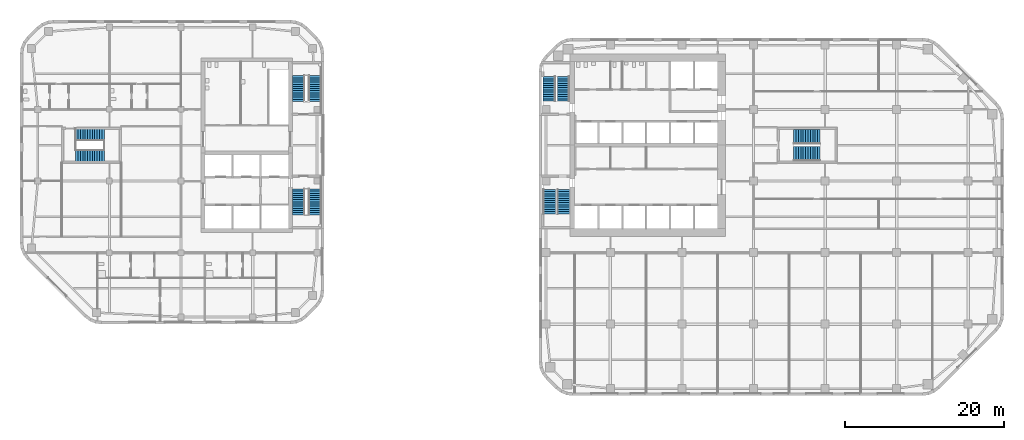
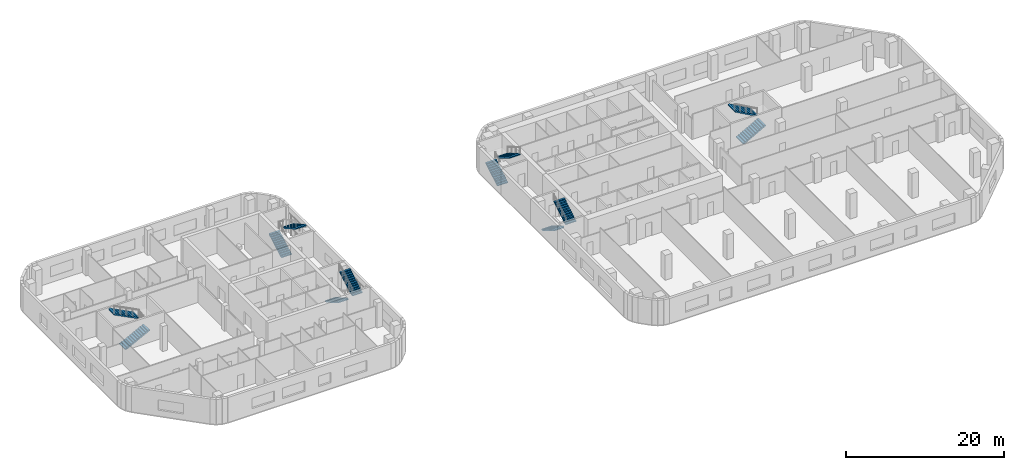
# One storey, part 12 of 15: 12 stair flights, 6 elements without a shape of their own.
"""IFC4 building model written with IfcOpenShell, lengths in metres."""

from ifc_helpers import new_model, si_unit, direction, frame, origin, place, context, subcontext, project, spatial, polyline, outline, extrude, material, type_object, element, aggregate, save


model = new_model("IFC4")

# Units and contexts
model_context = context("Model", 3, precision=1e-05, world=origin(), true_north=direction((0.0, 1.0)))
body_context = subcontext(model_context, "Body", "Model", "MODEL_VIEW")
ifc_project = project(units=[si_unit("LENGTHUNIT", "METRE"), si_unit("AREAUNIT", "SQUARE_METRE"), si_unit("VOLUMEUNIT", "CUBIC_METRE"), si_unit("PLANEANGLEUNIT", "RADIAN"), si_unit("MASSUNIT", "GRAM", prefix="KILO")], contexts=[model_context])

# Site, building, storey
site_placement = place(None, origin())
site = spatial("IfcSite", under=ifc_project, at=site_placement, CompositionType="ELEMENT")
building_placement = place(site_placement, origin())
building = spatial("IfcBuilding", under=site, at=building_placement, Name="Cinnabar Reach Civic Tower", CompositionType="ELEMENT")
storey_placement = place(building_placement, frame((0.0, 0.0, 87.0)))
storey = spatial("IfcBuildingStorey", under=building, at=storey_placement, Name="L20", CompositionType="ELEMENT", Elevation=87.0)

# Stair, stair flights
ifc_material_1 = material(Name="Concrete C40/50", Category="concrete")
stair_type_1 = type_object("IfcStairType", Name="T1 Exit stair, half-turn", PredefinedType="HALF_TURN_STAIR", material=ifc_material_1)
stair_1_placement = place(storey_placement, origin())
stair_1 = element("IfcStair", 1, at=stair_1_placement, inside=storey, type_object=stair_type_1, Name="Stair T1-S1", PredefinedType="HALF_TURN_STAIR")
stair_flight_type_1 = type_object("IfcStairFlightType", Name="T1 Stair flight, concrete", PredefinedType="STRAIGHT", material=ifc_material_1)
stair_flight_1_placement = place(storey_placement, frame((1.3125, 25.95, 0.0), z_axis=(0.0, 0.0, 1.0), x_axis=(0.0, -1.0, 0.0)))
stair_flight_1 = element("IfcStairFlight", 2, at=stair_flight_1_placement, type_object=stair_flight_type_1, Name="T1-S1 flight 1", NumberOfRisers=12, NumberOfTreads=11, PredefinedType="STRAIGHT", RiserHeight=0.166666667, TreadLength=0.28, context=body_context, shape_type="SweptSolid", body=[
    extrude(outline(polyline([(0.0, 0.0), (0.0, 0.1667), (0.28, 0.1667), (0.28, 0.3333), (0.56, 0.3333), (0.56, 0.5), (0.84, 0.5), (0.84, 0.6667), (1.12, 0.6667), (1.12, 0.8333), (1.4, 0.8333), (1.4, 1.0), (1.68, 1.0), (1.68, 1.1667), (1.96, 1.1667), (1.96, 1.3333), (2.24, 1.3333), (2.24, 1.5), (2.52, 1.5), (2.52, 1.6667), (2.8, 1.6667), (2.8, 1.8333), (3.08, 1.8333), (3.08, 2.0), (3.08, 1.6588), (0.2933, 0.0), (0.0, 0.0)])), frame((0.0, 0.7625, 0.0), z_axis=(0.0, -1.0, 0.0), x_axis=(1.0, 0.0, 0.0)), (0.0, 0.0, 1.0), 1.525),
])
stair_flight_2_placement = place(storey_placement, frame((3.0875, 22.87, 2.0), z_axis=(0.0, 0.0, 1.0), x_axis=(0.0, 1.0, 0.0)))
stair_flight_2 = element("IfcStairFlight", 3, at=stair_flight_2_placement, type_object=stair_flight_type_1, Name="T1-S1 flight 2", NumberOfRisers=12, NumberOfTreads=11, PredefinedType="STRAIGHT", RiserHeight=0.166666667, TreadLength=0.28, context=body_context, shape_type="SweptSolid", body=[
    extrude(outline(polyline([(0.0, 0.0), (0.0, 0.1667), (0.28, 0.1667), (0.28, 0.3333), (0.56, 0.3333), (0.56, 0.5), (0.84, 0.5), (0.84, 0.6667), (1.12, 0.6667), (1.12, 0.8333), (1.4, 0.8333), (1.4, 1.0), (1.68, 1.0), (1.68, 1.1667), (1.96, 1.1667), (1.96, 1.3333), (2.24, 1.3333), (2.24, 1.5), (2.52, 1.5), (2.52, 1.6667), (2.8, 1.6667), (2.8, 1.8333), (3.08, 1.8333), (3.08, 2.0), (3.08, 1.6588), (0.2933, 0.0), (0.0, 0.0)])), frame((0.0, 0.7625, 0.0), z_axis=(0.0, -1.0, 0.0), x_axis=(1.0, 0.0, 0.0)), (0.0, 0.0, 1.0), 1.525),
])
aggregate(stair_1, [stair_flight_1, stair_flight_2])

stair_2_placement = place(storey_placement, origin())
stair_2 = element("IfcStair", 4, at=stair_2_placement, inside=storey, type_object=stair_type_1, Name="Stair T1-S2", PredefinedType="HALF_TURN_STAIR")
stair_flight_3_placement = place(storey_placement, frame((1.3125, 37.05, 0.0), z_axis=(0.0, 0.0, 1.0), x_axis=(0.0, 1.0, 0.0)))
stair_flight_3 = element("IfcStairFlight", 5, at=stair_flight_3_placement, type_object=stair_flight_type_1, Name="T1-S2 flight 1", NumberOfRisers=12, NumberOfTreads=11, PredefinedType="STRAIGHT", RiserHeight=0.166666667, TreadLength=0.28, context=body_context, shape_type="SweptSolid", body=[
    extrude(outline(polyline([(0.0, 0.0), (0.0, 0.1667), (0.28, 0.1667), (0.28, 0.3333), (0.56, 0.3333), (0.56, 0.5), (0.84, 0.5), (0.84, 0.6667), (1.12, 0.6667), (1.12, 0.8333), (1.4, 0.8333), (1.4, 1.0), (1.68, 1.0), (1.68, 1.1667), (1.96, 1.1667), (1.96, 1.3333), (2.24, 1.3333), (2.24, 1.5), (2.52, 1.5), (2.52, 1.6667), (2.8, 1.6667), (2.8, 1.8333), (3.08, 1.8333), (3.08, 2.0), (3.08, 1.6588), (0.2933, 0.0), (0.0, 0.0)])), frame((0.0, 0.7625, 0.0), z_axis=(0.0, -1.0, 0.0), x_axis=(1.0, 0.0, 0.0)), (0.0, 0.0, 1.0), 1.525),
])
stair_flight_4_placement = place(storey_placement, frame((3.0875, 40.13, 2.0), z_axis=(0.0, 0.0, 1.0), x_axis=(0.0, -1.0, 0.0)))
stair_flight_4 = element("IfcStairFlight", 6, at=stair_flight_4_placement, type_object=stair_flight_type_1, Name="T1-S2 flight 2", NumberOfRisers=12, NumberOfTreads=11, PredefinedType="STRAIGHT", RiserHeight=0.166666667, TreadLength=0.28, context=body_context, shape_type="SweptSolid", body=[
    extrude(outline(polyline([(0.0, 0.0), (0.0, 0.1667), (0.28, 0.1667), (0.28, 0.3333), (0.56, 0.3333), (0.56, 0.5), (0.84, 0.5), (0.84, 0.6667), (1.12, 0.6667), (1.12, 0.8333), (1.4, 0.8333), (1.4, 1.0), (1.68, 1.0), (1.68, 1.1667), (1.96, 1.1667), (1.96, 1.3333), (2.24, 1.3333), (2.24, 1.5), (2.52, 1.5), (2.52, 1.6667), (2.8, 1.6667), (2.8, 1.8333), (3.08, 1.8333), (3.08, 2.0), (3.08, 1.6588), (0.2933, 0.0), (0.0, 0.0)])), frame((0.0, 0.7625, 0.0), z_axis=(0.0, -1.0, 0.0), x_axis=(1.0, 0.0, 0.0)), (0.0, 0.0, 1.0), 1.525),
])
aggregate(stair_2, [stair_flight_3, stair_flight_4])

stair_3_placement = place(storey_placement, origin())
stair_3 = element("IfcStair", 7, at=stair_3_placement, inside=storey, type_object=stair_type_1, Name="Stair T1-S3", PredefinedType="HALF_TURN_STAIR")
stair_flight_5_placement = place(storey_placement, frame((32.05, 30.45, 0.0), z_axis=(0.0, 0.0, 1.0), x_axis=(1.0, 0.0, 0.0)))
stair_flight_5 = element("IfcStairFlight", 8, at=stair_flight_5_placement, type_object=stair_flight_type_1, Name="T1-S3 flight 1", NumberOfRisers=12, NumberOfTreads=11, PredefinedType="STRAIGHT", RiserHeight=0.166666667, TreadLength=0.3, context=body_context, shape_type="SweptSolid", body=[
    extrude(outline(polyline([(0.0, 0.0), (0.0, 0.1667), (0.3, 0.1667), (0.3, 0.3333), (0.6, 0.3333), (0.6, 0.5), (0.9, 0.5), (0.9, 0.6667), (1.2, 0.6667), (1.2, 0.8333), (1.5, 0.8333), (1.5, 1.0), (1.8, 1.0), (1.8, 1.1667), (2.1, 1.1667), (2.1, 1.3333), (2.4, 1.3333), (2.4, 1.5), (2.7, 1.5), (2.7, 1.6667), (3.0, 1.6667), (3.0, 1.8333), (3.3, 1.8333), (3.3, 2.0), (3.3, 1.6617), (0.3089, 0.0), (0.0, 0.0)])), frame((0.0, 0.9, 0.0), z_axis=(0.0, -1.0, 0.0), x_axis=(1.0, 0.0, 0.0)), (0.0, 0.0, 1.0), 1.8),
])
stair_flight_6_placement = place(storey_placement, frame((35.35, 32.55, 2.0), z_axis=(0.0, 0.0, 1.0), x_axis=(-1.0, 0.0, 0.0)))
stair_flight_6 = element("IfcStairFlight", 9, at=stair_flight_6_placement, type_object=stair_flight_type_1, Name="T1-S3 flight 2", NumberOfRisers=12, NumberOfTreads=11, PredefinedType="STRAIGHT", RiserHeight=0.166666667, TreadLength=0.3, context=body_context, shape_type="SweptSolid", body=[
    extrude(outline(polyline([(0.0, 0.0), (0.0, 0.1667), (0.3, 0.1667), (0.3, 0.3333), (0.6, 0.3333), (0.6, 0.5), (0.9, 0.5), (0.9, 0.6667), (1.2, 0.6667), (1.2, 0.8333), (1.5, 0.8333), (1.5, 1.0), (1.8, 1.0), (1.8, 1.1667), (2.1, 1.1667), (2.1, 1.3333), (2.4, 1.3333), (2.4, 1.5), (2.7, 1.5), (2.7, 1.6667), (3.0, 1.6667), (3.0, 1.8333), (3.3, 1.8333), (3.3, 2.0), (3.3, 1.6617), (0.3089, 0.0), (0.0, 0.0)])), frame((0.0, 0.9, 0.0), z_axis=(0.0, -1.0, 0.0), x_axis=(1.0, 0.0, 0.0)), (0.0, 0.0, 1.0), 1.8),
])
aggregate(stair_3, [stair_flight_5, stair_flight_6])

ifc_material_2 = material(Name="Concrete C40", Category="concrete")
stair_type_2 = type_object("IfcStairType", Name="T2 Exit stair 1500", PredefinedType="HALF_TURN_STAIR", material=ifc_material_2)
stair_4_placement = place(storey_placement, origin())
stair_4 = element("IfcStair", 10, at=stair_4_placement, inside=storey, type_object=stair_type_2, Name="Exit stair 1", PredefinedType="HALF_TURN_STAIR")
stair_flight_type_2 = type_object("IfcStairFlightType", Name="T2 Stair flight 1500", PredefinedType="STRAIGHT", material=ifc_material_2)
stair_flight_7_placement = place(storey_placement, frame((-30.25, 26.0, 0.0), z_axis=(0.0, 0.0, 1.0), x_axis=(0.0, -1.0, 0.0)))
stair_flight_7 = element("IfcStairFlight", 11, at=stair_flight_7_placement, type_object=stair_flight_type_2, Name="ST1 flight 1", NumberOfRisers=13, NumberOfTreads=12, PredefinedType="STRAIGHT", RiserHeight=0.153846154, TreadLength=0.270833333, context=body_context, shape_type="SweptSolid", body=[
    extrude(outline(polyline([(0.0, 0.0), (0.0, 0.1538), (0.2708, 0.1538), (0.2708, 0.3077), (0.5417, 0.3077), (0.5417, 0.4615), (0.8125, 0.4615), (0.8125, 0.6154), (1.0833, 0.6154), (1.0833, 0.7692), (1.3542, 0.7692), (1.3542, 0.9231), (1.625, 0.9231), (1.625, 1.0769), (1.8958, 1.0769), (1.8958, 1.2308), (2.1667, 1.2308), (2.1667, 1.3846), (2.4375, 1.3846), (2.4375, 1.5385), (2.7083, 1.5385), (2.7083, 1.6923), (2.9792, 1.6923), (2.9792, 1.8462), (3.25, 1.8462), (3.25, 2.0), (3.25, 1.6736), (0.3037, 0.0), (0.0, 0.0)])), frame((0.0, 0.75, 0.0), z_axis=(0.0, -1.0, 0.0), x_axis=(1.0, 0.0, 0.0)), (0.0, 0.0, 1.0), 1.5),
])
stair_flight_8_placement = place(storey_placement, frame((-28.15, 22.75, 2.0), z_axis=(0.0, 0.0, 1.0), x_axis=(0.0, 1.0, 0.0)))
stair_flight_8 = element("IfcStairFlight", 12, at=stair_flight_8_placement, type_object=stair_flight_type_2, Name="ST1 flight 2", NumberOfRisers=13, NumberOfTreads=12, PredefinedType="STRAIGHT", RiserHeight=0.153846154, TreadLength=0.270833333, context=body_context, shape_type="SweptSolid", body=[
    extrude(outline(polyline([(0.0, 0.0), (0.0, 0.1538), (0.2708, 0.1538), (0.2708, 0.3077), (0.5417, 0.3077), (0.5417, 0.4615), (0.8125, 0.4615), (0.8125, 0.6154), (1.0833, 0.6154), (1.0833, 0.7692), (1.3542, 0.7692), (1.3542, 0.9231), (1.625, 0.9231), (1.625, 1.0769), (1.8958, 1.0769), (1.8958, 1.2308), (2.1667, 1.2308), (2.1667, 1.3846), (2.4375, 1.3846), (2.4375, 1.5385), (2.7083, 1.5385), (2.7083, 1.6923), (2.9792, 1.6923), (2.9792, 1.8462), (3.25, 1.8462), (3.25, 2.0), (3.25, 1.6736), (0.3037, 0.0), (0.0, 0.0)])), frame((0.0, 0.75, 0.0), z_axis=(0.0, -1.0, 0.0), x_axis=(1.0, 0.0, 0.0)), (0.0, 0.0, 1.0), 1.5),
])
aggregate(stair_4, [stair_flight_7, stair_flight_8])

stair_5_placement = place(storey_placement, origin())
stair_5 = element("IfcStair", 13, at=stair_5_placement, inside=storey, type_object=stair_type_2, Name="Exit stair 2", PredefinedType="HALF_TURN_STAIR")
stair_flight_9_placement = place(storey_placement, frame((-30.25, 37.0, 0.0), z_axis=(0.0, 0.0, 1.0), x_axis=(0.0, 1.0, 0.0)))
stair_flight_9 = element("IfcStairFlight", 14, at=stair_flight_9_placement, type_object=stair_flight_type_2, Name="ST2 flight 1", NumberOfRisers=13, NumberOfTreads=12, PredefinedType="STRAIGHT", RiserHeight=0.153846154, TreadLength=0.270833333, context=body_context, shape_type="SweptSolid", body=[
    extrude(outline(polyline([(0.0, 0.0), (0.0, 0.1538), (0.2708, 0.1538), (0.2708, 0.3077), (0.5417, 0.3077), (0.5417, 0.4615), (0.8125, 0.4615), (0.8125, 0.6154), (1.0833, 0.6154), (1.0833, 0.7692), (1.3542, 0.7692), (1.3542, 0.9231), (1.625, 0.9231), (1.625, 1.0769), (1.8958, 1.0769), (1.8958, 1.2308), (2.1667, 1.2308), (2.1667, 1.3846), (2.4375, 1.3846), (2.4375, 1.5385), (2.7083, 1.5385), (2.7083, 1.6923), (2.9792, 1.6923), (2.9792, 1.8462), (3.25, 1.8462), (3.25, 2.0), (3.25, 1.6736), (0.3037, 0.0), (0.0, 0.0)])), frame((0.0, 0.75, 0.0), z_axis=(0.0, -1.0, 0.0), x_axis=(1.0, 0.0, 0.0)), (0.0, 0.0, 1.0), 1.5),
])
stair_flight_10_placement = place(storey_placement, frame((-28.15, 40.25, 2.0), z_axis=(0.0, 0.0, 1.0), x_axis=(0.0, -1.0, 0.0)))
stair_flight_10 = element("IfcStairFlight", 15, at=stair_flight_10_placement, type_object=stair_flight_type_2, Name="ST2 flight 2", NumberOfRisers=13, NumberOfTreads=12, PredefinedType="STRAIGHT", RiserHeight=0.153846154, TreadLength=0.270833333, context=body_context, shape_type="SweptSolid", body=[
    extrude(outline(polyline([(0.0, 0.0), (0.0, 0.1538), (0.2708, 0.1538), (0.2708, 0.3077), (0.5417, 0.3077), (0.5417, 0.4615), (0.8125, 0.4615), (0.8125, 0.6154), (1.0833, 0.6154), (1.0833, 0.7692), (1.3542, 0.7692), (1.3542, 0.9231), (1.625, 0.9231), (1.625, 1.0769), (1.8958, 1.0769), (1.8958, 1.2308), (2.1667, 1.2308), (2.1667, 1.3846), (2.4375, 1.3846), (2.4375, 1.5385), (2.7083, 1.5385), (2.7083, 1.6923), (2.9792, 1.6923), (2.9792, 1.8462), (3.25, 1.8462), (3.25, 2.0), (3.25, 1.6736), (0.3037, 0.0), (0.0, 0.0)])), frame((0.0, 0.75, 0.0), z_axis=(0.0, -1.0, 0.0), x_axis=(1.0, 0.0, 0.0)), (0.0, 0.0, 1.0), 1.5),
])
aggregate(stair_5, [stair_flight_9, stair_flight_10])

stair_6_placement = place(storey_placement, origin())
stair_6 = element("IfcStair", 16, at=stair_6_placement, inside=storey, type_object=stair_type_2, Name="Exit stair 3", PredefinedType="HALF_TURN_STAIR")
stair_flight_11_placement = place(storey_placement, frame((-58.25, 30.125, 0.0), z_axis=(0.0, 0.0, 1.0), x_axis=(1.0, 0.0, 0.0)))
stair_flight_11 = element("IfcStairFlight", 17, at=stair_flight_11_placement, type_object=stair_flight_type_2, Name="ST3 flight 1", NumberOfRisers=13, NumberOfTreads=12, PredefinedType="STRAIGHT", RiserHeight=0.153846154, TreadLength=0.3, context=body_context, shape_type="SweptSolid", body=[
    extrude(outline(polyline([(0.0, 0.0), (0.0, 0.1538), (0.3, 0.1538), (0.3, 0.3077), (0.6, 0.3077), (0.6, 0.4615), (0.9, 0.4615), (0.9, 0.6154), (1.2, 0.6154), (1.2, 0.7692), (1.5, 0.7692), (1.5, 0.9231), (1.8, 0.9231), (1.8, 1.0769), (2.1, 1.0769), (2.1, 1.2308), (2.4, 1.2308), (2.4, 1.3846), (2.7, 1.3846), (2.7, 1.5385), (3.0, 1.5385), (3.0, 1.6923), (3.3, 1.6923), (3.3, 1.8462), (3.6, 1.8462), (3.6, 2.0), (3.6, 1.6776), (0.3287, 0.0), (0.0, 0.0)])), frame((0.0, 0.75, 0.0), z_axis=(0.0, -1.0, 0.0), x_axis=(1.0, 0.0, 0.0)), (0.0, 0.0, 1.0), 1.5),
])
stair_flight_12_placement = place(storey_placement, frame((-54.65, 32.875, 2.0), z_axis=(0.0, 0.0, 1.0), x_axis=(-1.0, 0.0, 0.0)))
stair_flight_12 = element("IfcStairFlight", 18, at=stair_flight_12_placement, type_object=stair_flight_type_2, Name="ST3 flight 2", NumberOfRisers=13, NumberOfTreads=12, PredefinedType="STRAIGHT", RiserHeight=0.153846154, TreadLength=0.3, context=body_context, shape_type="SweptSolid", body=[
    extrude(outline(polyline([(0.0, 0.0), (0.0, 0.1538), (0.3, 0.1538), (0.3, 0.3077), (0.6, 0.3077), (0.6, 0.4615), (0.9, 0.4615), (0.9, 0.6154), (1.2, 0.6154), (1.2, 0.7692), (1.5, 0.7692), (1.5, 0.9231), (1.8, 0.9231), (1.8, 1.0769), (2.1, 1.0769), (2.1, 1.2308), (2.4, 1.2308), (2.4, 1.3846), (2.7, 1.3846), (2.7, 1.5385), (3.0, 1.5385), (3.0, 1.6923), (3.3, 1.6923), (3.3, 1.8462), (3.6, 1.8462), (3.6, 2.0), (3.6, 1.6776), (0.3287, 0.0), (0.0, 0.0)])), frame((0.0, 0.75, 0.0), z_axis=(0.0, -1.0, 0.0), x_axis=(1.0, 0.0, 0.0)), (0.0, 0.0, 1.0), 1.5),
])
aggregate(stair_6, [stair_flight_11, stair_flight_12])

save(model, "model.ifc")
